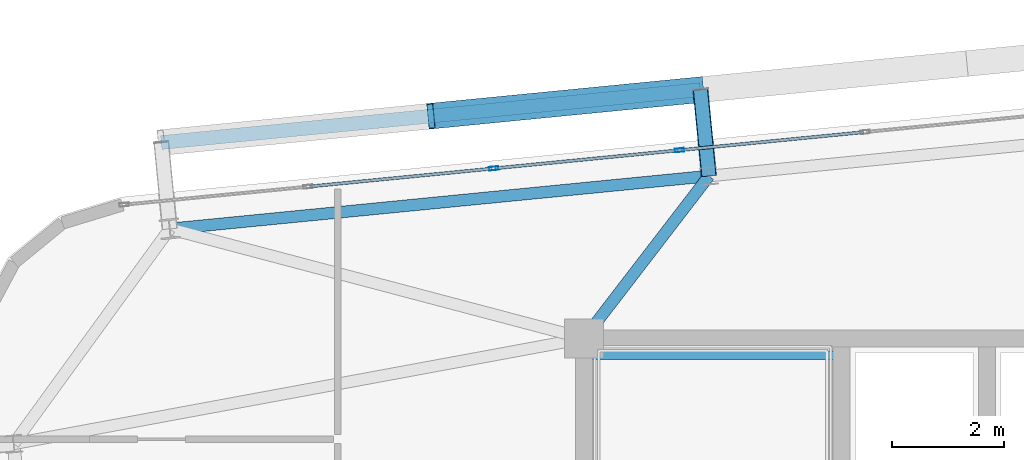
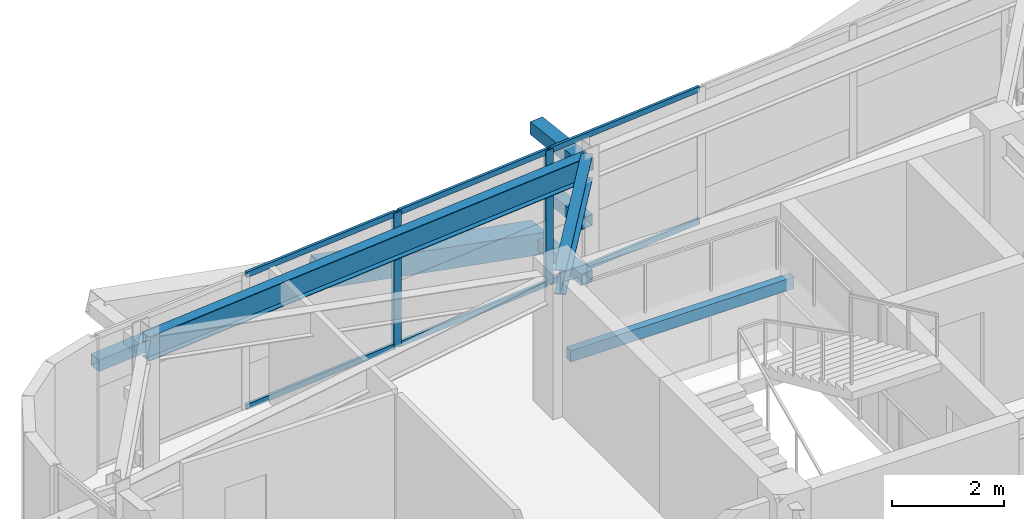
# One storey, part 28 of 52: 13 members, 3 beams, 1 element without a shape of its own.
"""IFC4 building model written with IfcOpenShell, lengths in metres."""

import ifcopenshell
import ifcopenshell.guid

model = None  # the IFC model being written
_history = None  # IfcOwnerHistory: only IFC2X3 demands one
_inside = {}  # id of a spatial element -> (the spatial element, [elements in it])
_under = {}  # id of a project, library or spatial element -> (it, [spatial elements below it])
_declared = {}  # id of a project -> (the project, [libraries it declares])
_typed = {}  # id of a type object -> (the type object, [elements of that type])
_made_of = {}  # id of a material, layer set ... -> (it, [elements and type objects made of it])


def new_model(schema):
    """Start an empty IFC model of exactly this schema.

    Asked for "IFC4X3", IfcOpenShell would pick the latest addendum, in which some entities
    have other attributes; the version numbers below select the first issue.
    IFC2X3 requires an IfcOwnerHistory on every rooted entity: one is made here for all.
    """
    global model, _history
    if schema == "IFC4X3":
        model = ifcopenshell.file(schema_version=(4, 3, 0, 0))
    else:
        model = ifcopenshell.file(schema=schema)
    _inside.clear()
    _under.clear()
    _declared.clear()
    _typed.clear()
    _made_of.clear()
    _history = None
    if model.schema == "IFC2X3":
        org = make("IfcOrganization", Name="unknown")
        user = make(
            "IfcPersonAndOrganization",
            ThePerson=make("IfcPerson", FamilyName="unknown"),
            TheOrganization=org,
        )
        app = make(
            "IfcApplication",
            ApplicationDeveloper=org,
            Version="unknown",
            ApplicationFullName="unknown",
            ApplicationIdentifier="unknown",
        )
        _history = make(
            "IfcOwnerHistory",
            OwningUser=user,
            OwningApplication=app,
            ChangeAction="ADDED",
            CreationDate=0,
        )
    return model


def make(cls, **values):
    """One entity of the class cls with the attributes given. An attribute that is None is left unset."""
    return model.create_entity(
        cls, **{name: value for name, value in values.items() if value is not None}
    )


def rooted(cls, **values):
    """An entity with a GlobalId (a new one), such as an element, a storey or a relation."""
    return make(cls, GlobalId=ifcopenshell.guid.new(), OwnerHistory=_history, **values)


def si_unit(unit_type, name, prefix=None):
    """IfcSIUnit, for example si_unit("LENGTHUNIT", "METRE", prefix="MILLI")."""
    return make("IfcSIUnit", UnitType=unit_type, Prefix=prefix, Name=name)


def assignment(units):
    """IfcUnitAssignment: the units of a project."""
    return None if units is None else make("IfcUnitAssignment", Units=units)


def point(xyz):
    """IfcCartesianPoint."""
    return None if xyz is None else make("IfcCartesianPoint", Coordinates=xyz)


def direction(xyz):
    """IfcDirection."""
    return None if xyz is None else make("IfcDirection", DirectionRatios=xyz)


def frame(location, z_axis=None, x_axis=None):
    """IfcAxis2Placement3D, a coordinate frame: its origin and axes. An axis left out is left unset."""
    return make(
        "IfcAxis2Placement3D",
        Location=point(location),
        Axis=direction(z_axis),
        RefDirection=direction(x_axis),
    )


def frame_2d(location, x_axis=None):
    """IfcAxis2Placement2D, a coordinate frame in the plane: its origin and x axis."""
    return make(
        "IfcAxis2Placement2D", Location=point(location), RefDirection=direction(x_axis)
    )


def origin():
    """The frame at (0, 0, 0) with its axes left unset."""
    return frame((0.0, 0.0, 0.0))


def origin_2d():
    """The frame at (0, 0) in the plane with its x axis left unset."""
    return frame_2d((0.0, 0.0))


def place(relative_to, where):
    """IfcLocalPlacement: puts the frame where relative to a parent placement (None: the world)."""
    return make(
        "IfcLocalPlacement", PlacementRelTo=relative_to, RelativePlacement=where
    )


def context(
    kind, dimensions, precision=None, world=None, true_north=None, identifier=None
):
    """IfcGeometricRepresentationContext, for example the 3D "Model" context."""
    return make(
        "IfcGeometricRepresentationContext",
        ContextIdentifier=identifier,
        ContextType=kind,
        CoordinateSpaceDimension=dimensions,
        Precision=precision,
        WorldCoordinateSystem=world,
        TrueNorth=true_north,
    )


def subcontext(parent, identifier, kind, view, scale=None):
    """IfcGeometricRepresentationSubContext, for example "Body" below "Model"."""
    return make(
        "IfcGeometricRepresentationSubContext",
        ContextIdentifier=identifier,
        ContextType=kind,
        ParentContext=parent,
        TargetScale=scale,
        TargetView=view,
    )


def project(units=None, contexts=None):
    """IfcProject with its units and contexts."""
    return rooted(
        "IfcProject",
        Name="project",
        RepresentationContexts=contexts,
        UnitsInContext=assignment(units),
    )


def spatial(cls, under=None, at=None, **own):
    """A site, building, storey or space (cls), placed at a placement, below another one or the project."""
    s = rooted(cls, ObjectPlacement=at, **own)
    if under is not None:
        _under.setdefault(under.id(), (under, []))[1].append(s)
    return s


def profile(cls, at=None, kind="AREA", **sizes):
    """A parametric profile (cls). Its sizes go by their IFC names, for example OverallWidth=200.0."""
    return make(cls, ProfileType=kind, Position=at, **sizes)


def hollow_rectangle(**sizes):
    """IfcRectangleHollowProfileDef."""
    return profile("IfcRectangleHollowProfileDef", **sizes)


def i_section(**sizes):
    """IfcIShapeProfileDef."""
    return profile("IfcIShapeProfileDef", **sizes)


def extrude(swept, where, along, depth):
    """IfcExtrudedAreaSolid: the profile swept, set in the frame where, extruded along a direction by depth."""
    return make(
        "IfcExtrudedAreaSolid",
        SweptArea=swept,
        Position=where,
        ExtrudedDirection=direction(along),
        Depth=depth,
    )


def shape(context_of_items, identifier, shape_type, items):
    """IfcShapeRepresentation: the items that make up one representation, for example the "Body"."""
    return make(
        "IfcShapeRepresentation",
        ContextOfItems=context_of_items,
        RepresentationIdentifier=identifier,
        RepresentationType=shape_type,
        Items=items,
    )


def source(mapping_origin, context_of_items, identifier, shape_type, items):
    """IfcRepresentationMap: a shape defined once, which mapped items show again and again."""
    return make(
        "IfcRepresentationMap",
        MappingOrigin=mapping_origin,
        MappedRepresentation=shape(context_of_items, identifier, shape_type, items),
    )


def transform(
    local_origin,
    x_axis=None,
    y_axis=None,
    z_axis=None,
    scale=None,
    scale2=None,
    scale3=None,
    uniform=True,
):
    """IfcCartesianTransformationOperator3D, or its non-uniform kind. x_axis, y_axis, z_axis: its Axis1, 2, 3."""
    if uniform:
        return make(
            "IfcCartesianTransformationOperator3D",
            Axis1=direction(x_axis),
            Axis2=direction(y_axis),
            LocalOrigin=point(local_origin),
            Scale=scale,
            Axis3=direction(z_axis),
        )
    return make(
        "IfcCartesianTransformationOperator3DnonUniform",
        Axis1=direction(x_axis),
        Axis2=direction(y_axis),
        LocalOrigin=point(local_origin),
        Scale=scale,
        Axis3=direction(z_axis),
        Scale2=scale2,
        Scale3=scale3,
    )


def mapped(mapping_source, mapping_target):
    """IfcMappedItem: shows the shape of a source again, moved by a transform."""
    return make(
        "IfcMappedItem", MappingSource=mapping_source, MappingTarget=mapping_target
    )


def material(Name=None, Category=None):
    """IfcMaterial."""
    return make("IfcMaterial", Name=Name, Category=Category)


def layer(
    of_material, thickness, ventilated=None, Name=None, Category=None, Priority=None
):
    """IfcMaterialLayer: one layer of a wall or slab, of a material (None: an air gap)."""
    return make(
        "IfcMaterialLayer",
        Material=of_material,
        LayerThickness=thickness,
        IsVentilated=ventilated,
        Name=Name,
        Category=Category,
        Priority=Priority,
    )


def layer_set(layers, Name=None):
    """IfcMaterialLayerSet."""
    return make("IfcMaterialLayerSet", MaterialLayers=layers, LayerSetName=Name)


def material_profile(
    of_material, cross_section, Name=None, Category=None, Priority=None
):
    """IfcMaterialProfile: a cross section and its material."""
    return make(
        "IfcMaterialProfile",
        Name=Name,
        Material=of_material,
        Profile=cross_section,
        Priority=Priority,
        Category=Category,
    )


def profile_set(profiles, Name=None, composite=None):
    """IfcMaterialProfileSet."""
    return make(
        "IfcMaterialProfileSet",
        Name=Name,
        MaterialProfiles=profiles,
        CompositeProfile=composite,
    )


def made_of(thing, what):
    """Note that an element or type object is made of a material, layer set ...; save() writes the relation."""
    if what is not None:
        _made_of.setdefault(what.id(), (what, []))[1].append(thing)
    return thing


def type_object(cls, material=None, **own):
    """A type object (cls), such as IfcWallType, which elements share."""
    return made_of(rooted(cls, **own), material)


def element(
    cls,
    number,
    at=None,
    inside=None,
    cuts=None,
    type_object=None,
    material=None,
    context=None,
    identifier="Body",
    shape_type=None,
    held_by="IfcProductDefinitionShape",
    body=None,
    shapes=None,
    **own,
):
    """One element of the class cls, such as IfcWall. Its Tag is "e" and its number.

    at: its placement. inside: the storey or other place that contains it. cuts: it is an
    opening in that element (IfcRelVoidsElement). A single representation is given by context,
    identifier, shape_type and body (its items); several are given by shapes. held_by: the class
    of the entity that holds the representations. save() writes the other relations.
    """
    e = rooted(cls, Tag="e%d" % number, ObjectPlacement=at, **own)
    if body is not None:
        shapes = [shape(context, identifier, shape_type, body)]
    if shapes is not None:
        e.Representation = make(held_by, Representations=shapes)
    if inside is not None:
        _inside.setdefault(inside.id(), (inside, []))[1].append(e)
    if cuts is not None:
        rooted(
            "IfcRelVoidsElement", RelatingBuildingElement=cuts, RelatedOpeningElement=e
        )
    if type_object is not None:
        _typed.setdefault(type_object.id(), (type_object, []))[1].append(e)
    return made_of(e, material)


def aggregate(whole, parts):
    """IfcRelAggregates: a whole, such as a stair, and the parts it consists of."""
    return rooted("IfcRelAggregates", RelatingObject=whole, RelatedObjects=parts)


def save(model, path):
    """Write the relations noted so far, then the file.

    IfcRelAggregates (storeys below a building ...), IfcRelContainedInSpatialStructure (elements
    in a storey), IfcRelDefinesByType, IfcRelAssociatesMaterial and IfcRelDeclares: one each for
    every whole, place, type object, material and project.
    """
    for whole, parts in _under.values():
        aggregate(whole, parts)
    for where, things in _inside.values():
        rooted(
            "IfcRelContainedInSpatialStructure",
            RelatedElements=things,
            RelatingStructure=where,
        )
    for kind, things in _typed.values():
        rooted("IfcRelDefinesByType", RelatedObjects=things, RelatingType=kind)
    for what, things in _made_of.values():
        rooted("IfcRelAssociatesMaterial", RelatedObjects=things, RelatingMaterial=what)
    for by, libraries in _declared.values():
        rooted("IfcRelDeclares", RelatingContext=by, RelatedDefinitions=libraries)
    model.write(path)


model = new_model("IFC4")

# Units and contexts
model_context = context("Model", 3, precision=1e-05, world=origin(), true_north=direction((0.0, 1.0)))
body_context = subcontext(model_context, "Body", "Model", "MODEL_VIEW")
ifc_project = project(units=[si_unit("LENGTHUNIT", "METRE"), si_unit("AREAUNIT", "SQUARE_METRE"), si_unit("VOLUMEUNIT", "CUBIC_METRE"), si_unit("PLANEANGLEUNIT", "RADIAN"), si_unit("MASSUNIT", "GRAM", prefix="KILO")], contexts=[model_context])

# Site, building, storey
site_placement = place(None, origin())
site = spatial("IfcSite", under=ifc_project, at=site_placement, CompositionType="ELEMENT")
building_placement = place(site_placement, origin())
building = spatial("IfcBuilding", under=site, at=building_placement, Name="Taldren Reach Tower", CompositionType="ELEMENT")
storey_placement = place(building_placement, frame((0.0, 0.0, 77.699951171875)))
storey = spatial("IfcBuildingStorey", under=building, at=storey_placement, Name="L23", CompositionType="ELEMENT", Elevation=77.699951171875)

# Beams
ifc_material_1 = material(Name="Steel Gr 350 (350PLUS)", Category="steel")
ifc_material_profile_1 = material_profile(ifc_material_1, i_section(OverallWidth=0.208984375, OverallDepth=0.528076171875, WebThickness=0.009521484375, FlangeThickness=0.01318359375, at=origin_2d()), Name="530UB82.0")
ifc_profile_set_1 = profile_set([ifc_material_profile_1], Name="Steel Gr 350 (350PLUS)")
beam_type_1 = type_object("IfcBeamType", Name="SP-UB530B", PredefinedType="SPANDREL", material=ifc_profile_set_1)
shared_shape_1 = source(origin(), body_context, "Body", "SweptSolid", [
    extrude(i_section(OverallWidth=0.208984375, OverallDepth=0.528076171875, WebThickness=0.009521484375, FlangeThickness=0.01318359375, at=origin_2d()), origin(), (0.0, 0.0, 1.0), 9.679931640625),
])
beam_1_placement = place(storey_placement, frame((21.230712890625, 34.9013671875, 2.666015625), z_axis=(-0.995227612658, -0.097580730699, 0.0), x_axis=(0.097580730699, -0.995227612658, 0.0)))
element("IfcBeam", 1, at=beam_1_placement, inside=storey, type_object=beam_type_1, Name="Perimeter spandrel B2 N2-N1 L23", PredefinedType="SPANDREL", context=body_context, shape_type="MappedRepresentation", body=[
    mapped(shared_shape_1, transform((0.0, 0.0, 0.0), scale=1.0)),
])
ifc_material_profile_2 = material_profile(ifc_material_1, i_section(OverallWidth=0.208984375, OverallDepth=0.532958984375, WebThickness=0.01025390625, FlangeThickness=0.015625, at=origin_2d()), Name="530UB92.4")
ifc_profile_set_2 = profile_set([ifc_material_profile_2], Name="Steel Gr 350 (350PLUS)")
beam_type_2 = type_object("IfcBeamType", Name="BM-UB530A", PredefinedType="BEAM", material=ifc_profile_set_2)
shared_shape_2 = source(origin(), body_context, "Body", "SweptSolid", [
    extrude(i_section(OverallWidth=0.208984375, OverallDepth=0.532958984375, WebThickness=0.01025390625, FlangeThickness=0.015625, at=origin_2d()), origin(), (0.0, 0.0, 1.0), 3.65966796875),
])
beam_2_placement = place(storey_placement, frame((19.0, 32.0, 2.66357421875), z_axis=(0.609520535722, 0.792770279799, 0.0), x_axis=(-0.792770279799, 0.609520535722, 0.0)))
element("IfcBeam", 2, at=beam_2_placement, inside=storey, type_object=beam_type_2, Name="Primary floor girder B2-N2 L23", PredefinedType="BEAM", context=body_context, shape_type="MappedRepresentation", body=[
    mapped(shared_shape_2, transform((0.0, 0.0, 0.0), scale=1.0)),
])

# Members
ifc_material_2 = material(Name="Steel Gr 450 (C450L0)", Category="steel")
ifc_material_profile_3 = material_profile(ifc_material_2, hollow_rectangle(XDim=0.27490234375, YDim=0.27490234375, WallThickness=0.00927734375, at=origin_2d()), Name="275x275x9.3SHS")
ifc_profile_set_3 = profile_set([ifc_material_profile_3], Name="Steel Gr 450 (C450L0)")
member_type_1 = type_object("IfcMemberType", Name="MB-TIE273", PredefinedType="STRUT", material=ifc_profile_set_3)
shared_shape_3 = source(origin(), body_context, "Body", "SweptSolid", [
    extrude(hollow_rectangle(XDim=0.27490234375, YDim=0.27490234375, WallThickness=0.00927734375, at=origin_2d()), origin(), (0.0, 0.0, 1.0), 1.550048828125),
])
member_1_placement = place(storey_placement, frame((21.230712890625, 34.9013671875, 2.650146484375), z_axis=(-0.097647892962, 0.9952210252, 0.0), x_axis=(-0.9952210252, -0.097647892962, 0.0)))
element("IfcMember", 3, at=member_1_placement, inside=storey, type_object=member_type_1, Name="Exoskeleton diaphragm tie strut B2-N2 L23", PredefinedType="STRUT", context=body_context, shape_type="MappedRepresentation", body=[
    mapped(shared_shape_3, transform((0.0, 0.0, 0.0), scale=1.0)),
])
ifc_material_profile_4 = material_profile(ifc_material_2, hollow_rectangle(XDim=0.4599609375, YDim=0.4599609375, WallThickness=0.01611328125, at=origin_2d()), Name="460x460x16.0SHS")
ifc_profile_set_4 = profile_set([ifc_material_profile_4], Name="Steel Gr 450 (C450L0)")
member_type_2 = type_object("IfcMemberType", Name="MB-EXO457", PredefinedType="BRACE", material=ifc_profile_set_4)
shared_shape_4 = source(origin(), body_context, "Body", "SweptSolid", [
    extrude(hollow_rectangle(XDim=0.4599609375, YDim=0.4599609375, WallThickness=0.01611328125, at=origin_2d()), origin(), (0.0, 0.0, 1.0), 4.990234375),
])
member_2_placement = place(storey_placement, frame((21.079345703125, 36.444091796875, 0.219970703125), z_axis=(-0.965271056716, -0.094667992638, 0.243494883389), x_axis=(0.097605711627, -0.995225162995, 0.0)))
element("IfcMember", 4, at=member_2_placement, inside=storey, type_object=member_type_2, Name="Exoskeleton Diagrid Brace B2-N1 L23", PredefinedType="BRACE", context=body_context, shape_type="MappedRepresentation", body=[
    mapped(shared_shape_4, transform((0.0, 0.0, 0.0), scale=1.0)),
])
ifc_material_3 = material(Name="Steel Gr 350 (C350L0)", Category="steel")
ifc_material_profile_5 = material_profile(ifc_material_3, hollow_rectangle(XDim=0.25, YDim=0.25, WallThickness=0.010009765625, at=origin_2d()), Name="250x250x10.0SHS")
ifc_profile_set_5 = profile_set([ifc_material_profile_5], Name="Steel Gr 350 (C350L0)")
member_type_3 = type_object("IfcMemberType", Name="MB-POST250", PredefinedType="POST", material=ifc_profile_set_5)
shared_shape_5 = source(origin(), body_context, "Body", "SweptSolid", [
    extrude(hollow_rectangle(XDim=0.25, YDim=0.25, WallThickness=0.010009765625, at=origin_2d()), origin(), (0.0, 0.0, 1.0), 9.679931640625),
])
member_3_placement = place(storey_placement, frame((11.445556640625, 35.49951171875, 1.43505859375), z_axis=(0.995227612658, 0.097580730699, 0.0), x_axis=(-0.097580730699, 0.995227612658, 0.0)))
element("IfcMember", 5, at=member_3_placement, inside=storey, type_object=member_type_3, Name="Exoskeleton mid-height ring chord B2-N1 L23", PredefinedType="POST", context=body_context, shape_type="MappedRepresentation", body=[
    mapped(shared_shape_5, transform((0.0, 0.0, 0.0), scale=1.0)),
])
shared_shape_6 = source(origin(), body_context, "Body", "SweptSolid", [
    extrude(hollow_rectangle(XDim=0.25, YDim=0.25, WallThickness=0.010009765625, at=origin_2d()), origin(), (0.0, 0.0, 1.0), 1.550048828125),
])
for number, where, z_axis, x_axis, name in (
    (6, (21.230712890625, 34.9013671875, 0.219970703125), (-0.097647892962, 0.9952210252, 0.0), (-0.9952210252, -0.097647892962, 0.0), "Exoskeleton base diaphragm tie strut B2-N2 L23"),
    (7, (21.230712890625, 34.9013671875, 1.43505859375), (-0.097647892962, 0.9952210252, 0.0), (-0.9952210252, -0.097647892962, 0.0), "Exoskeleton mid-tier diaphragm tie B2-N2 L23"),
):
    element("IfcMember", number, at=place(storey_placement, frame(where, z_axis=z_axis, x_axis=x_axis)), inside=storey, type_object=member_type_3, Name=name, PredefinedType="POST", context=body_context, shape_type="MappedRepresentation", body=[
        mapped(shared_shape_6, transform((0.0, 0.0, 0.0), scale=1.0)),
    ])

# Curtain wall, members
ifc_material_4 = material(Name="Aluminium and Low-E Glass Unitised System", Category="aluminium")
ifc_layer = layer(ifc_material_4, 0.159912109375)
ifc_layer_set = layer_set([ifc_layer], Name="Aluminium and Low-E Glass Unitised System")
curtain_wall_type = type_object("IfcCurtainWallType", Name="CW-SYS-3", PredefinedType="NOTDEFINED", material=ifc_layer_set)
curtain_wall_placement = place(storey_placement, origin())
curtain_wall = element("IfcCurtainWall", 8, at=curtain_wall_placement, inside=storey, type_object=curtain_wall_type, Name="Unitised curtain wall CW-L23-N", PredefinedType="NOTDEFINED")
ifc_material_5 = material(Name="Anodised Aluminium 6063-T6", Category="aluminium")
ifc_material_profile_6 = material_profile(ifc_material_5, hollow_rectangle(XDim=0.06494140625, YDim=0.1650390625, WallThickness=0.00390625, at=origin_2d()), Name="ALU-165x65x4RHS")
ifc_profile_set_6 = profile_set([ifc_material_profile_6], Name="Anodised Aluminium 6063-T6")
member_type_4 = type_object("IfcMemberType", Name="CW-MUL-165", PredefinedType="MULLION", material=ifc_profile_set_6)
shared_shape_7 = source(origin(), body_context, "Body", "SweptSolid", [
    extrude(hollow_rectangle(XDim=0.06494140625, YDim=0.1650390625, WallThickness=0.00390625, at=origin_2d()), origin(), (0.0, 0.0, 1.0), 2.929931640625),
])
member_4_placement = place(storey_placement, frame((20.703125, 35.3623046875, 0.0), z_axis=(0.0, 0.0, 1.0), x_axis=(0.097582999046, -0.995227390247, 0.0)))
member_4 = element("IfcMember", 9, at=member_4_placement, type_object=member_type_4, Name="CW-3 mullion 13", PredefinedType="MULLION", context=body_context, shape_type="MappedRepresentation", body=[
    mapped(shared_shape_7, transform((0.0, 0.0, 0.0), scale=1.0)),
])
member_5_placement = place(storey_placement, frame((17.3857421875, 35.036865234375, 0.0), z_axis=(0.0, 0.0, 1.0), x_axis=(0.097582999046, -0.995227390247, 0.0)))
member_5 = element("IfcMember", 10, at=member_5_placement, type_object=member_type_4, Name="CW-3 mullion 14", PredefinedType="MULLION", context=body_context, shape_type="MappedRepresentation", body=[
    mapped(shared_shape_7, transform((0.0, 0.0, 0.0), scale=1.0)),
])
ifc_material_profile_7 = material_profile(ifc_material_5, hollow_rectangle(XDim=0.054931640625, YDim=0.1201171875, WallThickness=0.0029296875, at=origin_2d()), Name="ALU-120x55x3RHS")
ifc_profile_set_7 = profile_set([ifc_material_profile_7], Name="Anodised Aluminium 6063-T6")
member_type_5 = type_object("IfcMemberType", Name="CW-TRN-135", PredefinedType="USERDEFINED", material=ifc_profile_set_7)
shared_shape_8 = source(origin(), body_context, "Body", "SweptSolid", [
    extrude(hollow_rectangle(XDim=0.054931640625, YDim=0.1201171875, WallThickness=0.0029296875, at=origin_2d()), origin(), (0.0, 0.0, 1.0), 3.268310546875),
])
member_6_placement = place(storey_placement, frame((23.98828125, 35.684326171875, 0.027587890625), z_axis=(-0.99522980512, -0.097558367146, 0.0), x_axis=(0.097558367146, -0.99522980512, 0.0)))
member_6 = element("IfcMember", 11, at=member_6_placement, type_object=member_type_5, Name="CW-3 transom 12.1", ObjectType="TRANSOM", PredefinedType="USERDEFINED", context=body_context, shape_type="MappedRepresentation", body=[
    mapped(shared_shape_8, transform((0.0, 0.0, 0.0), scale=1.0)),
])
member_7_placement = place(storey_placement, frame((23.98828125, 35.684326171875, 2.902587890625), z_axis=(-0.99522980512, -0.097558367146, 0.0), x_axis=(0.097558367146, -0.99522980512, 0.0)))
member_7 = element("IfcMember", 12, at=member_7_placement, type_object=member_type_5, Name="CW-3 transom 12.2", ObjectType="TRANSOM", PredefinedType="USERDEFINED", context=body_context, shape_type="MappedRepresentation", body=[
    mapped(shared_shape_8, transform((0.0, 0.0, 0.0), scale=1.0)),
])
member_8_placement = place(storey_placement, frame((17.353271484375, 35.03369140625, 0.027587890625), z_axis=(-0.99522980512, -0.097558367146, 0.0), x_axis=(0.097558367146, -0.99522980512, 0.0)))
member_8 = element("IfcMember", 13, at=member_8_placement, type_object=member_type_5, Name="CW-3 transom 14.1", ObjectType="TRANSOM", PredefinedType="USERDEFINED", context=body_context, shape_type="MappedRepresentation", body=[
    mapped(shared_shape_8, transform((0.0, 0.0, 0.0), scale=1.0)),
])
member_9_placement = place(storey_placement, frame((17.353271484375, 35.03369140625, 2.902587890625), z_axis=(-0.99522980512, -0.097558367146, 0.0), x_axis=(0.097558367146, -0.99522980512, 0.0)))
member_9 = element("IfcMember", 14, at=member_9_placement, type_object=member_type_5, Name="CW-3 transom 14.2", ObjectType="TRANSOM", PredefinedType="USERDEFINED", context=body_context, shape_type="MappedRepresentation", body=[
    mapped(shared_shape_8, transform((0.0, 0.0, 0.0), scale=1.0)),
])
shared_shape_9 = source(origin(), body_context, "Body", "SweptSolid", [
    extrude(hollow_rectangle(XDim=0.054931640625, YDim=0.1201171875, WallThickness=0.0029296875, at=origin_2d()), origin(), (0.0, 0.0, 1.0), 3.2685546875),
])
member_10_placement = place(storey_placement, frame((20.6708984375, 35.359130859375, 0.027587890625), z_axis=(-0.995223261527, -0.09762509778, 0.0), x_axis=(0.09762509778, -0.995223261527, 0.0)))
member_10 = element("IfcMember", 15, at=member_10_placement, type_object=member_type_5, Name="CW-3 transom 13.1", ObjectType="TRANSOM", PredefinedType="USERDEFINED", context=body_context, shape_type="MappedRepresentation", body=[
    mapped(shared_shape_9, transform((0.0, 0.0, 0.0), scale=1.0)),
])
member_11_placement = place(storey_placement, frame((20.6708984375, 35.359130859375, 2.902587890625), z_axis=(-0.995223261527, -0.09762509778, 0.0), x_axis=(0.09762509778, -0.995223261527, 0.0)))
member_11 = element("IfcMember", 16, at=member_11_placement, type_object=member_type_5, Name="CW-3 transom 13.2", ObjectType="TRANSOM", PredefinedType="USERDEFINED", context=body_context, shape_type="MappedRepresentation", body=[
    mapped(shared_shape_9, transform((0.0, 0.0, 0.0), scale=1.0)),
])
aggregate(curtain_wall, [member_4, member_5, member_6, member_7, member_10, member_11, member_8, member_9])

# Beam
ifc_material_profile_8 = material_profile(ifc_material_3, hollow_rectangle(XDim=0.14990234375, YDim=0.25, WallThickness=0.009033203125, at=origin_2d()), Name="250x150x9.0RHS")
ifc_profile_set_8 = profile_set([ifc_material_profile_8], Name="Steel Gr 350 (C350L0)")
beam_type_3 = type_object("IfcBeamType", Name="LN-RHS250", PredefinedType="LINTEL", material=ifc_profile_set_8)
shared_shape_10 = source(origin(), body_context, "Body", "SweptSolid", [
    extrude(hollow_rectangle(XDim=0.14990234375, YDim=0.25, WallThickness=0.009033203125, at=origin_2d()), origin(), (0.0, 0.0, 1.0), 4.60009765625),
])
beam_3_placement = place(storey_placement, frame((19.0, 31.699951171875, 1.27001953125), z_axis=(1.0, 0.0, 0.0), x_axis=(0.0, 1.0, 0.0)))
element("IfcBeam", 17, at=beam_3_placement, inside=storey, type_object=beam_type_3, Name="Stair half-landing support beam ST1-L23-2", PredefinedType="LINTEL", context=body_context, shape_type="MappedRepresentation", body=[
    mapped(shared_shape_10, transform((0.0, 0.0, 0.0), scale=1.0)),
])

save(model, "model.ifc")
